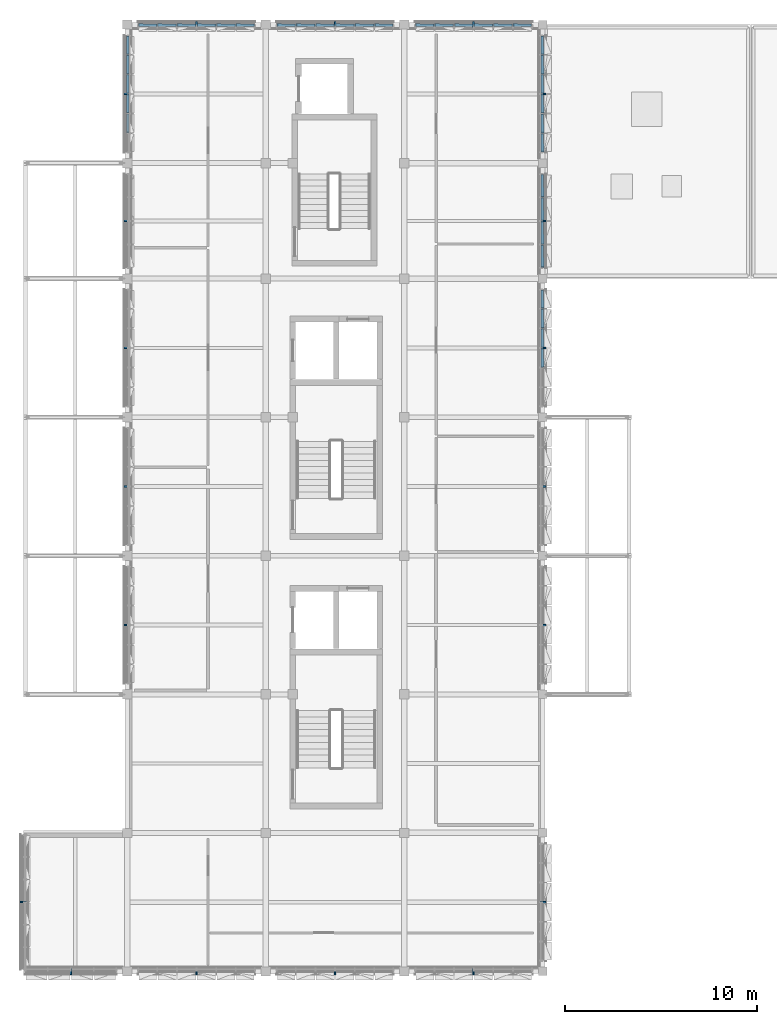
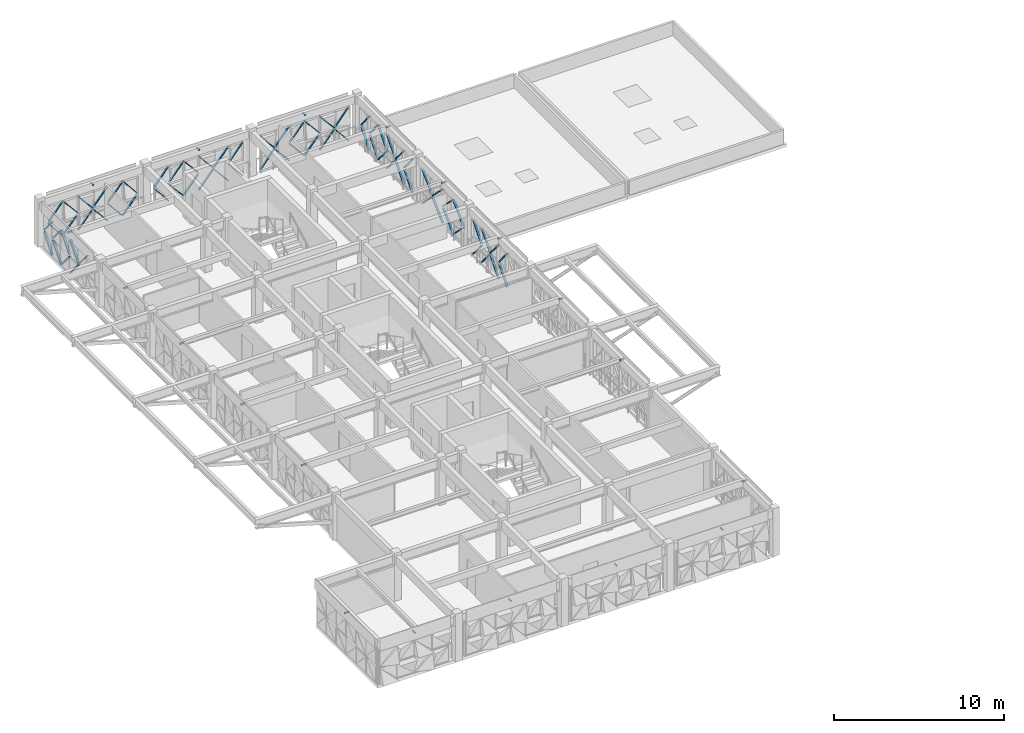
# One storey, part 24 of 30: 92 discrete accessories.
"""IFC4 building model written with IfcOpenShell, lengths in metres."""

from ifc_helpers import new_model, si_unit, direction, frame, origin, origin_2d, place, context, subcontext, project, spatial, rectangle, extrude, material, type_object, element, save


model = new_model("IFC4")

# Units and contexts
model_context = context("Model", 3, precision=1e-05, world=origin(), true_north=direction((0.0, 1.0)))
body_context = subcontext(model_context, "Body", "Model", "MODEL_VIEW")
ifc_project = project(units=[si_unit("LENGTHUNIT", "METRE"), si_unit("AREAUNIT", "SQUARE_METRE"), si_unit("VOLUMEUNIT", "CUBIC_METRE"), si_unit("PLANEANGLEUNIT", "RADIAN"), si_unit("MASSUNIT", "GRAM", prefix="KILO")], contexts=[model_context])

# Site, building, storey
site_placement = place(None, origin())
site = spatial("IfcSite", under=ifc_project, at=site_placement, CompositionType="ELEMENT")
building_placement = place(site_placement, origin())
building = spatial("IfcBuilding", under=site, at=building_placement, Name="Alvorim Cloister Faculty of Sciences", CompositionType="ELEMENT")
storey_placement = place(building_placement, frame((0.0, 0.0, 26.25)))
storey = spatial("IfcBuildingStorey", under=building, at=storey_placement, Name="L07", CompositionType="ELEMENT", Elevation=26.25)

# Discrete accessories
ifc_material = material(Name="Aluminium Alloy 6063-T6", Category="aluminium")
discrete_accessory_type = type_object("IfcDiscreteAccessoryType", Name="ACC-DIAG-BAR", PredefinedType="BRACKET", material=ifc_material)
for number, where, z_axis, x_axis, name in (
    (1, (25.199951171875, 7.340087890625, 3.074951171875), (0.0, -1.0, 0.0), (1.0, 0.0, 0.0), "Slab-Edge Fascia Tie Bracket ACC-02908"),
    (2, (18.0, 7.340087890625, 3.0029296875), (0.0, -1.0, 0.0), (1.0, 0.0, 0.0), "Slab-Edge Fascia Tie Bracket ACC-02921"),
    (3, (10.800048828125, 7.340087890625, 3.0029296875), (0.0, -1.0, 0.0), (1.0, 0.0, 0.0), "Slab-Edge Fascia Tie Bracket ACC-02934"),
    (4, (4.27001953125, 7.340087890625, 3.0029296875), (0.0, -1.0, 0.0), (1.0, 0.0, 0.0), "Slab-Edge Fascia Tie Bracket ACC-02943"),
    (5, (1.93994140625, 10.800048828125, 3.07861328125), (-1.0, 0.0, 0.0), (0.0, -1.0, 0.0), "Slab-Edge Fascia Tie Bracket ACC-02956"),
    (6, (7.340087890625, 25.199951171875, 3.074951171875), (-1.0, 0.0, 0.0), (0.0, -1.0, 0.0), "Slab-Edge Fascia Tie Bracket ACC-02969"),
    (7, (7.340087890625, 32.39990234375, 3.074951171875), (-1.0, 0.0, 0.0), (0.0, -1.0, 0.0), "Slab-Edge Fascia Tie Bracket ACC-02982"),
    (8, (7.340087890625, 39.60009765625, 3.074951171875), (-1.0, 0.0, 0.0), (0.0, -1.0, 0.0), "Slab-Edge Fascia Tie Bracket ACC-02995"),
    (9, (7.340087890625, 46.199951171875, 3.074951171875), (-1.0, 0.0, 0.0), (0.0, -1.0, 0.0), "Slab-Edge Fascia Tie Bracket ACC-03004"),
):
    element("IfcDiscreteAccessory", number, at=place(storey_placement, frame(where, z_axis=z_axis, x_axis=x_axis)), inside=storey, type_object=discrete_accessory_type, Name=name, PredefinedType="BRACKET", context=body_context, shape_type="SweptSolid", body=[
        extrude(rectangle(XDim=0.080078125, YDim=0.080078125, at=origin_2d()), origin(), (0.0, 0.0, 1.0), 0.300048828125),
    ])
for number, where, z_axis, x_axis, name in (
    (10, (7.222412109375, 50.79248046875, 2.56005859375), (0.006729969151, 0.642137544371, -0.766559900872), (-0.999945083323, 0.010479997039, 0.0), "Diagonal Cassette Glazing Bracket ACC-03008"),
    (11, (7.222412109375, 51.8125, 1.280029296875), (0.006729969151, 0.642137544371, -0.766559900872), (-0.999945083323, 0.010479997039, 0.0), "Diagonal Cassette Glazing Bracket ACC-03009"),
    (12, (7.222412109375, 51.8125, 1.419921875), (0.006729969151, 0.642137544371, 0.766559900872), (-0.999945083323, 0.010479997039, 0.0), "Diagonal Cassette Glazing Bracket ACC-03010"),
    (13, (7.222412109375, 52.83251953125, 1.280029296875), (0.006729969151, 0.642137544371, -0.766559900872), (-0.999945083323, 0.010479997039, 0.0), "Diagonal Cassette Glazing Bracket ACC-03011"),
    (14, (7.222412109375, 52.83251953125, 1.419921875), (0.006729969151, 0.642137544371, 0.766559900872), (-0.999945083323, 0.010479997039, 0.0), "Diagonal Cassette Glazing Bracket ACC-03012"),
    (15, (7.222412109375, 53.8525390625, 0.139892578125), (0.006729969151, 0.642137544371, 0.766559900872), (-0.999945083323, 0.010479997039, 0.0), "Diagonal Cassette Glazing Bracket ACC-03013"),
    (16, (7.222412109375, 53.8525390625, 2.56005859375), (0.006729969151, 0.642137544371, -0.766559900872), (-0.999945083323, 0.010479997039, 0.0), "Diagonal Cassette Glazing Bracket ACC-03014"),
):
    element("IfcDiscreteAccessory", number, at=place(storey_placement, frame(where, z_axis=z_axis, x_axis=x_axis)), inside=storey, type_object=discrete_accessory_type, Name=name, PredefinedType="BRACKET", context=body_context, shape_type="SweptSolid", body=[
        extrude(rectangle(XDim=0.139892578125, YDim=0.044921875, at=origin_2d()), origin(), (0.0, 0.0, 1.0), 1.4873046875),
    ])
for number, where, z_axis, x_axis, name in (
    (17, (7.222412109375, 54.87255859375, 0.139892578125), (0.006825387803, 0.628934515139, 0.777428318078), (-0.999941118963, 0.010851663811, 0.0), "Diagonal Cassette Glazing Bracket ACC-03015"),
    (18, (7.222412109375, 54.87255859375, 2.56005859375), (0.006825387803, 0.628934515139, -0.777428318078), (-0.999941118963, 0.010851663811, 0.0), "Diagonal Cassette Glazing Bracket ACC-03016"),
):
    element("IfcDiscreteAccessory", number, at=place(storey_placement, frame(where, z_axis=z_axis, x_axis=x_axis)), inside=storey, type_object=discrete_accessory_type, Name=name, PredefinedType="BRACKET", context=body_context, shape_type="SweptSolid", body=[
        extrude(rectangle(XDim=0.139892578125, YDim=0.044921875, at=origin_2d()), origin(), (0.0, 0.0, 1.0), 1.466552734375),
    ])
discrete_accessory_1_placement = place(storey_placement, frame((7.340087890625, 52.800048828125, 3.074951171875), z_axis=(-1.0, 0.0, 0.0), x_axis=(0.0, -1.0, 0.0)))
element("IfcDiscreteAccessory", 19, at=discrete_accessory_1_placement, inside=storey, type_object=discrete_accessory_type, Name="Slab-Edge Fascia Tie Bracket ACC-03017", PredefinedType="BRACKET", context=body_context, shape_type="SweptSolid", body=[
    extrude(rectangle(XDim=0.080078125, YDim=0.080078125, at=origin_2d()), origin(), (0.0, 0.0, 1.0), 0.300048828125),
])
for number, where, z_axis, x_axis, name in (
    (20, (7.804931640625, 56.37744140625, 1.280029296875), (0.629035122429, -0.006824673199, -0.777346922928), (0.010848792579, 0.999941150118, 0.0), "Diagonal Cassette Glazing Bracket ACC-03018"),
    (21, (7.804931640625, 56.37744140625, 1.419921875), (0.629035122429, -0.006824673199, 0.777346922928), (0.010848792579, 0.999941150118, 0.0), "Diagonal Cassette Glazing Bracket ACC-03019"),
):
    element("IfcDiscreteAccessory", number, at=place(storey_placement, frame(where, z_axis=z_axis, x_axis=x_axis)), inside=storey, type_object=discrete_accessory_type, Name=name, PredefinedType="BRACKET", context=body_context, shape_type="SweptSolid", body=[
        extrude(rectangle(XDim=0.139892578125, YDim=0.044921875, at=origin_2d()), origin(), (0.0, 0.0, 1.0), 1.466796875),
    ])
for number, where, z_axis, x_axis, name in (
    (22, (8.79248046875, 56.37744140625, 0.139892578125), (0.642137544371, -0.006729969151, 0.766559900872), (0.010479997039, 0.999945083323, 0.0), "Diagonal Cassette Glazing Bracket ACC-03020"),
    (23, (8.79248046875, 56.37744140625, 2.56005859375), (0.642137544371, -0.006729969151, -0.766559900872), (0.010479997039, 0.999945083323, 0.0), "Diagonal Cassette Glazing Bracket ACC-03021"),
    (24, (9.8125, 56.37744140625, 0.139892578125), (0.642137544371, -0.006729969151, 0.766559900872), (0.010479997039, 0.999945083323, 0.0), "Diagonal Cassette Glazing Bracket ACC-03022"),
    (25, (9.8125, 56.37744140625, 2.56005859375), (0.642137544371, -0.006729969151, -0.766559900872), (0.010479997039, 0.999945083323, 0.0), "Diagonal Cassette Glazing Bracket ACC-03023"),
    (26, (10.83251953125, 56.37744140625, 1.280029296875), (0.642137544371, -0.006729969151, -0.766559900872), (0.010479997039, 0.999945083323, 0.0), "Diagonal Cassette Glazing Bracket ACC-03024"),
    (27, (10.83251953125, 56.37744140625, 1.419921875), (0.642137544371, -0.006729969151, 0.766559900872), (0.010479997039, 0.999945083323, 0.0), "Diagonal Cassette Glazing Bracket ACC-03025"),
    (28, (11.8525390625, 56.37744140625, 1.280029296875), (0.642137544371, -0.006729969151, -0.766559900872), (0.010479997039, 0.999945083323, 0.0), "Diagonal Cassette Glazing Bracket ACC-03026"),
    (29, (11.8525390625, 56.37744140625, 1.419921875), (0.642137544371, -0.006729969151, 0.766559900872), (0.010479997039, 0.999945083323, 0.0), "Diagonal Cassette Glazing Bracket ACC-03027"),
):
    element("IfcDiscreteAccessory", number, at=place(storey_placement, frame(where, z_axis=z_axis, x_axis=x_axis)), inside=storey, type_object=discrete_accessory_type, Name=name, PredefinedType="BRACKET", context=body_context, shape_type="SweptSolid", body=[
        extrude(rectangle(XDim=0.139892578125, YDim=0.044921875, at=origin_2d()), origin(), (0.0, 0.0, 1.0), 1.4873046875),
    ])
for number, where, z_axis, x_axis, name in (
    (30, (12.87255859375, 56.37744140625, 0.139892578125), (0.628934515139, -0.006825387803, 0.777428318078), (0.010851663811, 0.999941118963, 0.0), "Diagonal Cassette Glazing Bracket ACC-03028"),
    (31, (12.87255859375, 56.37744140625, 2.56005859375), (0.628934515139, -0.006825387803, -0.777428318078), (0.010851663811, 0.999941118963, 0.0), "Diagonal Cassette Glazing Bracket ACC-03029"),
):
    element("IfcDiscreteAccessory", number, at=place(storey_placement, frame(where, z_axis=z_axis, x_axis=x_axis)), inside=storey, type_object=discrete_accessory_type, Name=name, PredefinedType="BRACKET", context=body_context, shape_type="SweptSolid", body=[
        extrude(rectangle(XDim=0.139892578125, YDim=0.044921875, at=origin_2d()), origin(), (0.0, 0.0, 1.0), 1.466552734375),
    ])
discrete_accessory_2_placement = place(storey_placement, frame((10.800048828125, 56.260009765625, 3.074951171875), z_axis=(0.0, 1.0, 0.0), x_axis=(-1.0, 0.0, 0.0)))
element("IfcDiscreteAccessory", 32, at=discrete_accessory_2_placement, inside=storey, type_object=discrete_accessory_type, Name="Slab-Edge Fascia Tie Bracket ACC-03030", PredefinedType="BRACKET", context=body_context, shape_type="SweptSolid", body=[
    extrude(rectangle(XDim=0.080078125, YDim=0.080078125, at=origin_2d()), origin(), (0.0, 0.0, 1.0), 0.300048828125),
])
for number, where, z_axis, x_axis, name in (
    (33, (15.0048828125, 56.37744140625, 1.280029296875), (0.629035122429, -0.006824673199, -0.777346922928), (0.010848792579, 0.999941150118, 0.0), "Diagonal Cassette Glazing Bracket ACC-03031"),
    (34, (15.0048828125, 56.37744140625, 1.419921875), (0.629035122429, -0.006824673199, 0.777346922928), (0.010848792579, 0.999941150118, 0.0), "Diagonal Cassette Glazing Bracket ACC-03032"),
):
    element("IfcDiscreteAccessory", number, at=place(storey_placement, frame(where, z_axis=z_axis, x_axis=x_axis)), inside=storey, type_object=discrete_accessory_type, Name=name, PredefinedType="BRACKET", context=body_context, shape_type="SweptSolid", body=[
        extrude(rectangle(XDim=0.139892578125, YDim=0.044921875, at=origin_2d()), origin(), (0.0, 0.0, 1.0), 1.466796875),
    ])
for number, where, z_axis, x_axis, name in (
    (35, (15.992431640625, 56.37744140625, 1.280029296875), (0.642137544371, -0.006729969151, -0.766559900872), (0.010479997039, 0.999945083323, 0.0), "Diagonal Cassette Glazing Bracket ACC-03033"),
    (36, (15.992431640625, 56.37744140625, 1.419921875), (0.642137544371, -0.006729969151, 0.766559900872), (0.010479997039, 0.999945083323, 0.0), "Diagonal Cassette Glazing Bracket ACC-03034"),
    (37, (17.012451171875, 56.37744140625, 0.139892578125), (0.642137544371, -0.006729969151, 0.766559900872), (0.010479997039, 0.999945083323, 0.0), "Diagonal Cassette Glazing Bracket ACC-03035"),
    (38, (17.012451171875, 56.37744140625, 2.56005859375), (0.642137544371, -0.006729969151, -0.766559900872), (0.010479997039, 0.999945083323, 0.0), "Diagonal Cassette Glazing Bracket ACC-03036"),
    (39, (18.032470703125, 56.37744140625, 0.139892578125), (0.642137544371, -0.006729969151, 0.766559900872), (0.010479997039, 0.999945083323, 0.0), "Diagonal Cassette Glazing Bracket ACC-03037"),
    (40, (18.032470703125, 56.37744140625, 2.56005859375), (0.642137544371, -0.006729969151, -0.766559900872), (0.010479997039, 0.999945083323, 0.0), "Diagonal Cassette Glazing Bracket ACC-03038"),
    (41, (19.052490234375, 56.37744140625, 1.280029296875), (0.642137544371, -0.006729969151, -0.766559900872), (0.010479997039, 0.999945083323, 0.0), "Diagonal Cassette Glazing Bracket ACC-03039"),
    (42, (19.052490234375, 56.37744140625, 1.419921875), (0.642137544371, -0.006729969151, 0.766559900872), (0.010479997039, 0.999945083323, 0.0), "Diagonal Cassette Glazing Bracket ACC-03040"),
):
    element("IfcDiscreteAccessory", number, at=place(storey_placement, frame(where, z_axis=z_axis, x_axis=x_axis)), inside=storey, type_object=discrete_accessory_type, Name=name, PredefinedType="BRACKET", context=body_context, shape_type="SweptSolid", body=[
        extrude(rectangle(XDim=0.139892578125, YDim=0.044921875, at=origin_2d()), origin(), (0.0, 0.0, 1.0), 1.4873046875),
    ])
for number, where, z_axis, x_axis, name in (
    (43, (20.072509765625, 56.37744140625, 1.280029296875), (0.629035122429, -0.006824673199, -0.777346922928), (0.010848792579, 0.999941150118, 0.0), "Diagonal Cassette Glazing Bracket ACC-03041"),
    (44, (20.072509765625, 56.37744140625, 1.419921875), (0.629035122429, -0.006824673199, 0.777346922928), (0.010848792579, 0.999941150118, 0.0), "Diagonal Cassette Glazing Bracket ACC-03042"),
):
    element("IfcDiscreteAccessory", number, at=place(storey_placement, frame(where, z_axis=z_axis, x_axis=x_axis)), inside=storey, type_object=discrete_accessory_type, Name=name, PredefinedType="BRACKET", context=body_context, shape_type="SweptSolid", body=[
        extrude(rectangle(XDim=0.139892578125, YDim=0.044921875, at=origin_2d()), origin(), (0.0, 0.0, 1.0), 1.466796875),
    ])
discrete_accessory_3_placement = place(storey_placement, frame((18.0, 56.260009765625, 3.074951171875), z_axis=(0.0, 1.0, 0.0), x_axis=(-1.0, 0.0, 0.0)))
element("IfcDiscreteAccessory", 45, at=discrete_accessory_3_placement, inside=storey, type_object=discrete_accessory_type, Name="Slab-Edge Fascia Tie Bracket ACC-03043", PredefinedType="BRACKET", context=body_context, shape_type="SweptSolid", body=[
    extrude(rectangle(XDim=0.080078125, YDim=0.080078125, at=origin_2d()), origin(), (0.0, 0.0, 1.0), 0.300048828125),
])
for number, where, z_axis, x_axis, name in (
    (46, (22.205078125, 56.37744140625, 0.139892578125), (0.628934515139, -0.006825387803, 0.777428318078), (0.010851663811, 0.999941118963, 0.0), "Diagonal Cassette Glazing Bracket ACC-03044"),
    (47, (22.205078125, 56.37744140625, 2.56005859375), (0.628934515139, -0.006825387803, -0.777428318078), (0.010851663811, 0.999941118963, 0.0), "Diagonal Cassette Glazing Bracket ACC-03045"),
):
    element("IfcDiscreteAccessory", number, at=place(storey_placement, frame(where, z_axis=z_axis, x_axis=x_axis)), inside=storey, type_object=discrete_accessory_type, Name=name, PredefinedType="BRACKET", context=body_context, shape_type="SweptSolid", body=[
        extrude(rectangle(XDim=0.139892578125, YDim=0.044921875, at=origin_2d()), origin(), (0.0, 0.0, 1.0), 1.466552734375),
    ])
for number, where, z_axis, x_axis, name in (
    (48, (23.1923828125, 56.37744140625, 1.280029296875), (0.642137544371, -0.006729969151, -0.766559900872), (0.010479997039, 0.999945083323, 0.0), "Diagonal Cassette Glazing Bracket ACC-03046"),
    (49, (23.1923828125, 56.37744140625, 1.419921875), (0.642137544371, -0.006729969151, 0.766559900872), (0.010479997039, 0.999945083323, 0.0), "Diagonal Cassette Glazing Bracket ACC-03047"),
    (50, (24.21240234375, 56.37744140625, 1.280029296875), (0.642137544371, -0.006729969151, -0.766559900872), (0.010479997039, 0.999945083323, 0.0), "Diagonal Cassette Glazing Bracket ACC-03048"),
    (51, (24.21240234375, 56.37744140625, 1.419921875), (0.642137544371, -0.006729969151, 0.766559900872), (0.010479997039, 0.999945083323, 0.0), "Diagonal Cassette Glazing Bracket ACC-03049"),
    (52, (25.232421875, 56.37744140625, 0.139892578125), (0.642137544371, -0.006729969151, 0.766559900872), (0.010479997039, 0.999945083323, 0.0), "Diagonal Cassette Glazing Bracket ACC-03050"),
    (53, (25.232421875, 56.37744140625, 2.56005859375), (0.642137544371, -0.006729969151, -0.766559900872), (0.010479997039, 0.999945083323, 0.0), "Diagonal Cassette Glazing Bracket ACC-03051"),
    (54, (26.25244140625, 56.37744140625, 0.139892578125), (0.642137544371, -0.006729969151, 0.766559900872), (0.010479997039, 0.999945083323, 0.0), "Diagonal Cassette Glazing Bracket ACC-03052"),
    (55, (26.25244140625, 56.37744140625, 2.56005859375), (0.642137544371, -0.006729969151, -0.766559900872), (0.010479997039, 0.999945083323, 0.0), "Diagonal Cassette Glazing Bracket ACC-03053"),
):
    element("IfcDiscreteAccessory", number, at=place(storey_placement, frame(where, z_axis=z_axis, x_axis=x_axis)), inside=storey, type_object=discrete_accessory_type, Name=name, PredefinedType="BRACKET", context=body_context, shape_type="SweptSolid", body=[
        extrude(rectangle(XDim=0.139892578125, YDim=0.044921875, at=origin_2d()), origin(), (0.0, 0.0, 1.0), 1.4873046875),
    ])
for number, where, z_axis, x_axis, name in (
    (56, (27.2724609375, 56.37744140625, 1.280029296875), (0.629035122429, -0.006824673199, -0.777346922928), (0.010848792579, 0.999941150118, 0.0), "Diagonal Cassette Glazing Bracket ACC-03054"),
    (57, (27.2724609375, 56.37744140625, 1.419921875), (0.629035122429, -0.006824673199, 0.777346922928), (0.010848792579, 0.999941150118, 0.0), "Diagonal Cassette Glazing Bracket ACC-03055"),
):
    element("IfcDiscreteAccessory", number, at=place(storey_placement, frame(where, z_axis=z_axis, x_axis=x_axis)), inside=storey, type_object=discrete_accessory_type, Name=name, PredefinedType="BRACKET", context=body_context, shape_type="SweptSolid", body=[
        extrude(rectangle(XDim=0.139892578125, YDim=0.044921875, at=origin_2d()), origin(), (0.0, 0.0, 1.0), 1.466796875),
    ])
discrete_accessory_4_placement = place(storey_placement, frame((25.199951171875, 56.260009765625, 3.074951171875), z_axis=(0.0, 1.0, 0.0), x_axis=(-1.0, 0.0, 0.0)))
element("IfcDiscreteAccessory", 58, at=discrete_accessory_4_placement, inside=storey, type_object=discrete_accessory_type, Name="Slab-Edge Fascia Tie Bracket ACC-03056", PredefinedType="BRACKET", context=body_context, shape_type="SweptSolid", body=[
    extrude(rectangle(XDim=0.080078125, YDim=0.080078125, at=origin_2d()), origin(), (0.0, 0.0, 1.0), 0.300048828125),
])
for number, where, z_axis, x_axis, name in (
    (59, (28.777587890625, 49.804931640625, 0.139892578125), (-0.006824673199, 0.629035122429, 0.777346922928), (-0.999941150118, -0.010848792579, 0.0), "Diagonal Cassette Glazing Bracket ACC-03057"),
    (60, (28.777587890625, 49.804931640625, 2.56005859375), (-0.006824673199, 0.629035122429, -0.777346922928), (-0.999941150118, -0.010848792579, 0.0), "Diagonal Cassette Glazing Bracket ACC-03058"),
):
    element("IfcDiscreteAccessory", number, at=place(storey_placement, frame(where, z_axis=z_axis, x_axis=x_axis)), inside=storey, type_object=discrete_accessory_type, Name=name, PredefinedType="BRACKET", context=body_context, shape_type="SweptSolid", body=[
        extrude(rectangle(XDim=0.139892578125, YDim=0.044921875, at=origin_2d()), origin(), (0.0, 0.0, 1.0), 1.466796875),
    ])
for number, where, z_axis, x_axis, name in (
    (61, (28.777587890625, 50.79248046875, 0.139892578125), (-0.006729969151, 0.642137544371, 0.766559900872), (-0.999945083323, -0.010479997039, 0.0), "Diagonal Cassette Glazing Bracket ACC-03059"),
    (62, (28.777587890625, 50.79248046875, 2.56005859375), (-0.006729969151, 0.642137544371, -0.766559900872), (-0.999945083323, -0.010479997039, 0.0), "Diagonal Cassette Glazing Bracket ACC-03060"),
    (63, (28.777587890625, 51.8125, 1.280029296875), (-0.006729969151, 0.642137544371, -0.766559900872), (-0.999945083323, -0.010479997039, 0.0), "Diagonal Cassette Glazing Bracket ACC-03061"),
    (64, (28.777587890625, 51.8125, 1.419921875), (-0.006729969151, 0.642137544371, 0.766559900872), (-0.999945083323, -0.010479997039, 0.0), "Diagonal Cassette Glazing Bracket ACC-03062"),
    (65, (28.777587890625, 52.83251953125, 1.280029296875), (-0.006729969151, 0.642137544371, -0.766559900872), (-0.999945083323, -0.010479997039, 0.0), "Diagonal Cassette Glazing Bracket ACC-03063"),
    (66, (28.777587890625, 52.83251953125, 1.419921875), (-0.006729969151, 0.642137544371, 0.766559900872), (-0.999945083323, -0.010479997039, 0.0), "Diagonal Cassette Glazing Bracket ACC-03064"),
    (67, (28.777587890625, 53.8525390625, 0.139892578125), (-0.006729969151, 0.642137544371, 0.766559900872), (-0.999945083323, -0.010479997039, 0.0), "Diagonal Cassette Glazing Bracket ACC-03065"),
    (68, (28.777587890625, 53.8525390625, 2.56005859375), (-0.006729969151, 0.642137544371, -0.766559900872), (-0.999945083323, -0.010479997039, 0.0), "Diagonal Cassette Glazing Bracket ACC-03066"),
):
    element("IfcDiscreteAccessory", number, at=place(storey_placement, frame(where, z_axis=z_axis, x_axis=x_axis)), inside=storey, type_object=discrete_accessory_type, Name=name, PredefinedType="BRACKET", context=body_context, shape_type="SweptSolid", body=[
        extrude(rectangle(XDim=0.139892578125, YDim=0.044921875, at=origin_2d()), origin(), (0.0, 0.0, 1.0), 1.4873046875),
    ])
for number, where, z_axis, x_axis, name in (
    (69, (28.777587890625, 54.87255859375, 0.139892578125), (-0.006825387803, 0.628934515139, 0.777428318078), (-0.999941118963, -0.010851663811, 0.0), "Diagonal Cassette Glazing Bracket ACC-03067"),
    (70, (28.777587890625, 54.87255859375, 2.56005859375), (-0.006825387803, 0.628934515139, -0.777428318078), (-0.999941118963, -0.010851663811, 0.0), "Diagonal Cassette Glazing Bracket ACC-03068"),
):
    element("IfcDiscreteAccessory", number, at=place(storey_placement, frame(where, z_axis=z_axis, x_axis=x_axis)), inside=storey, type_object=discrete_accessory_type, Name=name, PredefinedType="BRACKET", context=body_context, shape_type="SweptSolid", body=[
        extrude(rectangle(XDim=0.139892578125, YDim=0.044921875, at=origin_2d()), origin(), (0.0, 0.0, 1.0), 1.466552734375),
    ])
discrete_accessory_5_placement = place(storey_placement, frame((28.659912109375, 52.800048828125, 3.074951171875), z_axis=(1.0, 0.0, 0.0), x_axis=(0.0, 1.0, 0.0)))
element("IfcDiscreteAccessory", 71, at=discrete_accessory_5_placement, inside=storey, type_object=discrete_accessory_type, Name="Slab-Edge Fascia Tie Bracket ACC-03069", PredefinedType="BRACKET", context=body_context, shape_type="SweptSolid", body=[
    extrude(rectangle(XDim=0.080078125, YDim=0.080078125, at=origin_2d()), origin(), (0.0, 0.0, 1.0), 0.300048828125),
])
for number, where, z_axis, x_axis, name in (
    (72, (28.777587890625, 43.804931640625, 1.280029296875), (-0.006228521844, 0.704734459375, -0.709443829549), (-0.999960946179, -0.0088377665, 0.0), "Diagonal Cassette Glazing Bracket ACC-03070"),
    (73, (28.777587890625, 43.804931640625, 1.419921875), (-0.006228521844, 0.704734459375, 0.709443829549), (-0.999960946179, -0.0088377665, 0.0), "Diagonal Cassette Glazing Bracket ACC-03071"),
):
    element("IfcDiscreteAccessory", number, at=place(storey_placement, frame(where, z_axis=z_axis, x_axis=x_axis)), inside=storey, type_object=discrete_accessory_type, Name=name, PredefinedType="BRACKET", context=body_context, shape_type="SweptSolid", body=[
        extrude(rectangle(XDim=0.139892578125, YDim=0.044921875, at=origin_2d()), origin(), (0.0, 0.0, 1.0), 1.607177734375),
    ])
for number, where, z_axis, x_axis, name in (
    (74, (28.777587890625, 45.00244140625, 0.139892578125), (-0.006140466, 0.714690335416, 0.699414054148), (-0.999963092655, -0.008591468315, 0.0), "Diagonal Cassette Glazing Bracket ACC-03072"),
    (75, (28.777587890625, 45.00244140625, 2.56005859375), (-0.006140466, 0.714690335416, -0.699414054148), (-0.999963092655, -0.008591468315, 0.0), "Diagonal Cassette Glazing Bracket ACC-03073"),
    (76, (28.777587890625, 46.232421875, 0.139892578125), (-0.006140466, 0.714690335416, 0.699414054148), (-0.999963092655, -0.008591468315, 0.0), "Diagonal Cassette Glazing Bracket ACC-03074"),
    (77, (28.777587890625, 46.232421875, 2.56005859375), (-0.006140466, 0.714690335416, -0.699414054148), (-0.999963092655, -0.008591468315, 0.0), "Diagonal Cassette Glazing Bracket ACC-03075"),
):
    element("IfcDiscreteAccessory", number, at=place(storey_placement, frame(where, z_axis=z_axis, x_axis=x_axis)), inside=storey, type_object=discrete_accessory_type, Name=name, PredefinedType="BRACKET", context=body_context, shape_type="SweptSolid", body=[
        extrude(rectangle(XDim=0.139892578125, YDim=0.044921875, at=origin_2d()), origin(), (0.0, 0.0, 1.0), 1.630126953125),
    ])
for number, where, z_axis, x_axis, name in (
    (78, (28.777587890625, 47.46240234375, 1.280029296875), (-0.006228521844, 0.704734459375, -0.709443829549), (-0.999960946179, -0.0088377665, 0.0), "Diagonal Cassette Glazing Bracket ACC-03076"),
    (79, (28.777587890625, 47.46240234375, 1.419921875), (-0.006228521844, 0.704734459375, 0.709443829549), (-0.999960946179, -0.0088377665, 0.0), "Diagonal Cassette Glazing Bracket ACC-03077"),
):
    element("IfcDiscreteAccessory", number, at=place(storey_placement, frame(where, z_axis=z_axis, x_axis=x_axis)), inside=storey, type_object=discrete_accessory_type, Name=name, PredefinedType="BRACKET", context=body_context, shape_type="SweptSolid", body=[
        extrude(rectangle(XDim=0.139892578125, YDim=0.044921875, at=origin_2d()), origin(), (0.0, 0.0, 1.0), 1.607177734375),
    ])
discrete_accessory_6_placement = place(storey_placement, frame((28.659912109375, 46.199951171875, 3.074951171875), z_axis=(1.0, 0.0, 0.0), x_axis=(0.0, 1.0, 0.0)))
element("IfcDiscreteAccessory", 80, at=discrete_accessory_6_placement, inside=storey, type_object=discrete_accessory_type, Name="Slab-Edge Fascia Tie Bracket ACC-03078", PredefinedType="BRACKET", context=body_context, shape_type="SweptSolid", body=[
    extrude(rectangle(XDim=0.080078125, YDim=0.080078125, at=origin_2d()), origin(), (0.0, 0.0, 1.0), 0.300048828125),
])
for number, where, z_axis, x_axis, name in (
    (81, (28.777587890625, 38.612548828125, 0.139892578125), (-0.006730678539, 0.642041067424, 0.766640701833), (-0.999945055239, -0.010482676365, 0.0), "Diagonal Cassette Glazing Bracket ACC-03083"),
    (82, (28.777587890625, 38.612548828125, 2.56005859375), (-0.006730678539, 0.642041067424, -0.766640701833), (-0.999945055239, -0.010482676365, 0.0), "Diagonal Cassette Glazing Bracket ACC-03084"),
    (83, (28.777587890625, 39.632568359375, 0.139892578125), (-0.006730678539, 0.642041067424, 0.766640701833), (-0.999945055239, -0.010482676365, 0.0), "Diagonal Cassette Glazing Bracket ACC-03085"),
    (84, (28.777587890625, 39.632568359375, 2.56005859375), (-0.006730678539, 0.642041067424, -0.766640701833), (-0.999945055239, -0.010482676365, 0.0), "Diagonal Cassette Glazing Bracket ACC-03086"),
    (85, (28.777587890625, 40.652587890625, 1.280029296875), (-0.006730678539, 0.642041067424, -0.766640701833), (-0.999945055239, -0.010482676365, 0.0), "Diagonal Cassette Glazing Bracket ACC-03087"),
    (86, (28.777587890625, 40.652587890625, 1.419921875), (-0.006730678539, 0.642041067424, 0.766640701833), (-0.999945055239, -0.010482676365, 0.0), "Diagonal Cassette Glazing Bracket ACC-03088"),
):
    element("IfcDiscreteAccessory", number, at=place(storey_placement, frame(where, z_axis=z_axis, x_axis=x_axis)), inside=storey, type_object=discrete_accessory_type, Name=name, PredefinedType="BRACKET", context=body_context, shape_type="SweptSolid", body=[
        extrude(rectangle(XDim=0.139892578125, YDim=0.044921875, at=origin_2d()), origin(), (0.0, 0.0, 1.0), 1.4873046875),
    ])
for number, where, z_axis, x_axis, name in (
    (87, (28.777587890625, 41.672607421875, 1.280029296875), (-0.006825387803, 0.628934515139, -0.777428318078), (-0.999941118963, -0.010851663811, 0.0), "Diagonal Cassette Glazing Bracket ACC-03089"),
    (88, (28.777587890625, 41.672607421875, 1.419921875), (-0.006825387803, 0.628934515139, 0.777428318078), (-0.999941118963, -0.010851663811, 0.0), "Diagonal Cassette Glazing Bracket ACC-03090"),
):
    element("IfcDiscreteAccessory", number, at=place(storey_placement, frame(where, z_axis=z_axis, x_axis=x_axis)), inside=storey, type_object=discrete_accessory_type, Name=name, PredefinedType="BRACKET", context=body_context, shape_type="SweptSolid", body=[
        extrude(rectangle(XDim=0.139892578125, YDim=0.044921875, at=origin_2d()), origin(), (0.0, 0.0, 1.0), 1.466552734375),
    ])
for number, where, z_axis, x_axis, name in (
    (89, (28.659912109375, 39.60009765625, 3.074951171875), (1.0, 0.0, 0.0), (0.0, 1.0, 0.0), "Slab-Edge Fascia Tie Bracket ACC-03091"),
    (90, (28.659912109375, 32.39990234375, 3.074951171875), (1.0, 0.0, 0.0), (0.0, 1.0, 0.0), "Slab-Edge Fascia Tie Bracket ACC-03104"),
    (91, (28.659912109375, 25.199951171875, 3.074951171875), (1.0, 0.0, 0.0), (0.0, 1.0, 0.0), "Slab-Edge Fascia Tie Bracket ACC-03117"),
    (92, (28.659912109375, 10.800048828125, 3.074951171875), (1.0, 0.0, 0.0), (0.0, 1.0, 0.0), "Slab-Edge Fascia Tie Bracket ACC-03130"),
):
    element("IfcDiscreteAccessory", number, at=place(storey_placement, frame(where, z_axis=z_axis, x_axis=x_axis)), inside=storey, type_object=discrete_accessory_type, Name=name, PredefinedType="BRACKET", context=body_context, shape_type="SweptSolid", body=[
        extrude(rectangle(XDim=0.080078125, YDim=0.080078125, at=origin_2d()), origin(), (0.0, 0.0, 1.0), 0.300048828125),
    ])

save(model, "model.ifc")
